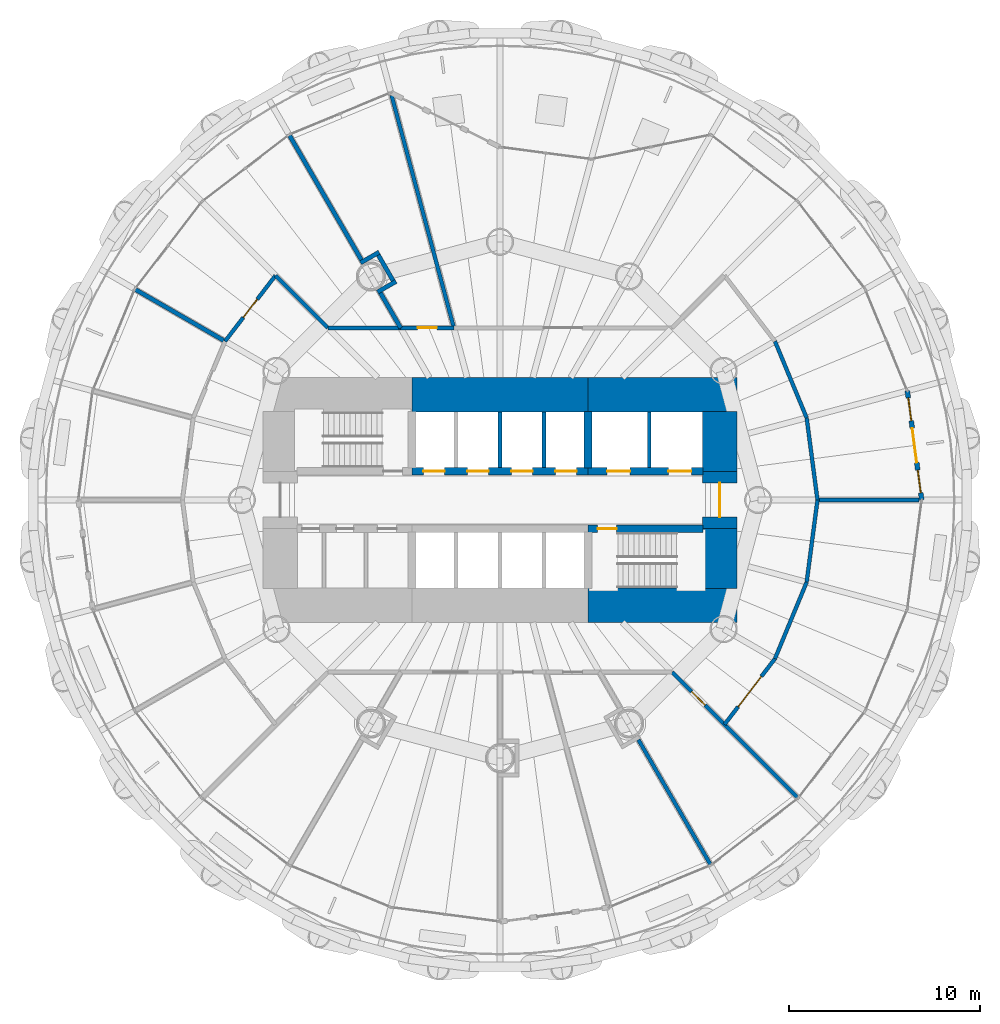
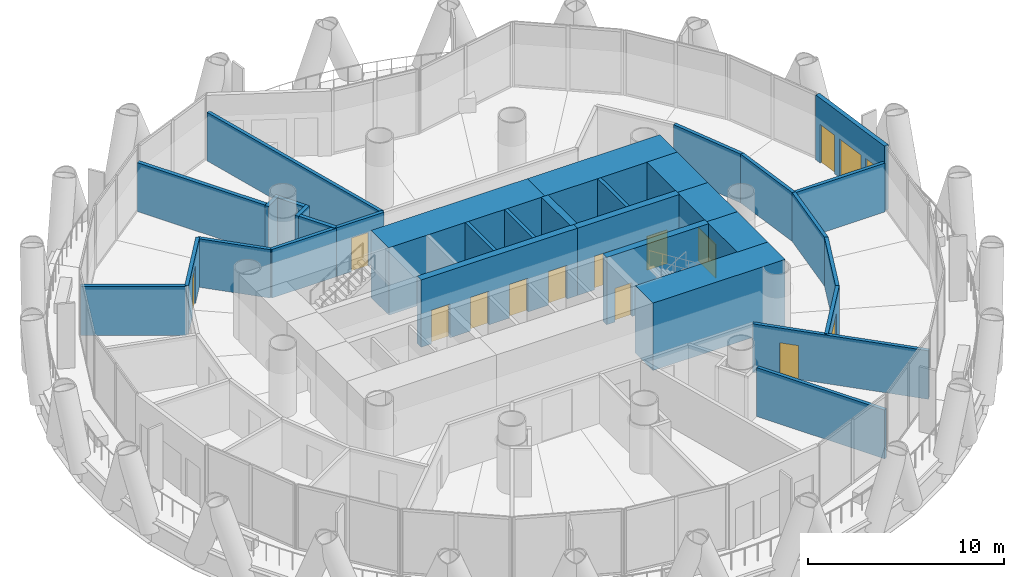
# One storey, part 11 of 16: 33 walls, 13 doors, 2 windows, 15 openings.
"""IFC4 building model written with IfcOpenShell, lengths in metres."""

import ifcopenshell
import ifcopenshell.guid

model = None  # the IFC model being written
_history = None  # IfcOwnerHistory: only IFC2X3 demands one
_inside = {}  # id of a spatial element -> (the spatial element, [elements in it])
_under = {}  # id of a project, library or spatial element -> (it, [spatial elements below it])
_declared = {}  # id of a project -> (the project, [libraries it declares])
_typed = {}  # id of a type object -> (the type object, [elements of that type])
_made_of = {}  # id of a material, layer set ... -> (it, [elements and type objects made of it])


def new_model(schema):
    """Start an empty IFC model of exactly this schema.

    Asked for "IFC4X3", IfcOpenShell would pick the latest addendum, in which some entities
    have other attributes; the version numbers below select the first issue.
    IFC2X3 requires an IfcOwnerHistory on every rooted entity: one is made here for all.
    """
    global model, _history
    if schema == "IFC4X3":
        model = ifcopenshell.file(schema_version=(4, 3, 0, 0))
    else:
        model = ifcopenshell.file(schema=schema)
    _inside.clear()
    _under.clear()
    _declared.clear()
    _typed.clear()
    _made_of.clear()
    _history = None
    if model.schema == "IFC2X3":
        org = make("IfcOrganization", Name="unknown")
        user = make(
            "IfcPersonAndOrganization",
            ThePerson=make("IfcPerson", FamilyName="unknown"),
            TheOrganization=org,
        )
        app = make(
            "IfcApplication",
            ApplicationDeveloper=org,
            Version="unknown",
            ApplicationFullName="unknown",
            ApplicationIdentifier="unknown",
        )
        _history = make(
            "IfcOwnerHistory",
            OwningUser=user,
            OwningApplication=app,
            ChangeAction="ADDED",
            CreationDate=0,
        )
    return model


def make(cls, **values):
    """One entity of the class cls with the attributes given. An attribute that is None is left unset."""
    return model.create_entity(
        cls, **{name: value for name, value in values.items() if value is not None}
    )


def rooted(cls, **values):
    """An entity with a GlobalId (a new one), such as an element, a storey or a relation."""
    return make(cls, GlobalId=ifcopenshell.guid.new(), OwnerHistory=_history, **values)


def si_unit(unit_type, name, prefix=None):
    """IfcSIUnit, for example si_unit("LENGTHUNIT", "METRE", prefix="MILLI")."""
    return make("IfcSIUnit", UnitType=unit_type, Prefix=prefix, Name=name)


def assignment(units):
    """IfcUnitAssignment: the units of a project."""
    return None if units is None else make("IfcUnitAssignment", Units=units)


def point(xyz):
    """IfcCartesianPoint."""
    return None if xyz is None else make("IfcCartesianPoint", Coordinates=xyz)


def direction(xyz):
    """IfcDirection."""
    return None if xyz is None else make("IfcDirection", DirectionRatios=xyz)


def frame(location, z_axis=None, x_axis=None):
    """IfcAxis2Placement3D, a coordinate frame: its origin and axes. An axis left out is left unset."""
    return make(
        "IfcAxis2Placement3D",
        Location=point(location),
        Axis=direction(z_axis),
        RefDirection=direction(x_axis),
    )


def frame_2d(location, x_axis=None):
    """IfcAxis2Placement2D, a coordinate frame in the plane: its origin and x axis."""
    return make(
        "IfcAxis2Placement2D", Location=point(location), RefDirection=direction(x_axis)
    )


def origin():
    """The frame at (0, 0, 0) with its axes left unset."""
    return frame((0.0, 0.0, 0.0))


def place(relative_to, where):
    """IfcLocalPlacement: puts the frame where relative to a parent placement (None: the world)."""
    return make(
        "IfcLocalPlacement", PlacementRelTo=relative_to, RelativePlacement=where
    )


def context(
    kind, dimensions, precision=None, world=None, true_north=None, identifier=None
):
    """IfcGeometricRepresentationContext, for example the 3D "Model" context."""
    return make(
        "IfcGeometricRepresentationContext",
        ContextIdentifier=identifier,
        ContextType=kind,
        CoordinateSpaceDimension=dimensions,
        Precision=precision,
        WorldCoordinateSystem=world,
        TrueNorth=true_north,
    )


def subcontext(parent, identifier, kind, view, scale=None):
    """IfcGeometricRepresentationSubContext, for example "Body" below "Model"."""
    return make(
        "IfcGeometricRepresentationSubContext",
        ContextIdentifier=identifier,
        ContextType=kind,
        ParentContext=parent,
        TargetScale=scale,
        TargetView=view,
    )


def project(units=None, contexts=None):
    """IfcProject with its units and contexts."""
    return rooted(
        "IfcProject",
        Name="project",
        RepresentationContexts=contexts,
        UnitsInContext=assignment(units),
    )


def spatial(cls, under=None, at=None, **own):
    """A site, building, storey or space (cls), placed at a placement, below another one or the project."""
    s = rooted(cls, ObjectPlacement=at, **own)
    if under is not None:
        _under.setdefault(under.id(), (under, []))[1].append(s)
    return s


def profile(cls, at=None, kind="AREA", **sizes):
    """A parametric profile (cls). Its sizes go by their IFC names, for example OverallWidth=200.0."""
    return make(cls, ProfileType=kind, Position=at, **sizes)


def rectangle(**sizes):
    """IfcRectangleProfileDef."""
    return profile("IfcRectangleProfileDef", **sizes)


def extrude(swept, where, along, depth):
    """IfcExtrudedAreaSolid: the profile swept, set in the frame where, extruded along a direction by depth."""
    return make(
        "IfcExtrudedAreaSolid",
        SweptArea=swept,
        Position=where,
        ExtrudedDirection=direction(along),
        Depth=depth,
    )


def shape(context_of_items, identifier, shape_type, items):
    """IfcShapeRepresentation: the items that make up one representation, for example the "Body"."""
    return make(
        "IfcShapeRepresentation",
        ContextOfItems=context_of_items,
        RepresentationIdentifier=identifier,
        RepresentationType=shape_type,
        Items=items,
    )


def material(Name=None, Category=None):
    """IfcMaterial."""
    return make("IfcMaterial", Name=Name, Category=Category)


def layer(
    of_material, thickness, ventilated=None, Name=None, Category=None, Priority=None
):
    """IfcMaterialLayer: one layer of a wall or slab, of a material (None: an air gap)."""
    return make(
        "IfcMaterialLayer",
        Material=of_material,
        LayerThickness=thickness,
        IsVentilated=ventilated,
        Name=Name,
        Category=Category,
        Priority=Priority,
    )


def layer_set(layers, Name=None):
    """IfcMaterialLayerSet."""
    return make("IfcMaterialLayerSet", MaterialLayers=layers, LayerSetName=Name)


def made_of(thing, what):
    """Note that an element or type object is made of a material, layer set ...; save() writes the relation."""
    if what is not None:
        _made_of.setdefault(what.id(), (what, []))[1].append(thing)
    return thing


def type_object(cls, material=None, **own):
    """A type object (cls), such as IfcWallType, which elements share."""
    return made_of(rooted(cls, **own), material)


def element(
    cls,
    number,
    at=None,
    inside=None,
    cuts=None,
    type_object=None,
    material=None,
    context=None,
    identifier="Body",
    shape_type=None,
    held_by="IfcProductDefinitionShape",
    body=None,
    shapes=None,
    **own,
):
    """One element of the class cls, such as IfcWall. Its Tag is "e" and its number.

    at: its placement. inside: the storey or other place that contains it. cuts: it is an
    opening in that element (IfcRelVoidsElement). A single representation is given by context,
    identifier, shape_type and body (its items); several are given by shapes. held_by: the class
    of the entity that holds the representations. save() writes the other relations.
    """
    e = rooted(cls, Tag="e%d" % number, ObjectPlacement=at, **own)
    if body is not None:
        shapes = [shape(context, identifier, shape_type, body)]
    if shapes is not None:
        e.Representation = make(held_by, Representations=shapes)
    if inside is not None:
        _inside.setdefault(inside.id(), (inside, []))[1].append(e)
    if cuts is not None:
        rooted(
            "IfcRelVoidsElement", RelatingBuildingElement=cuts, RelatedOpeningElement=e
        )
    if type_object is not None:
        _typed.setdefault(type_object.id(), (type_object, []))[1].append(e)
    return made_of(e, material)


def fill(opening, filler):
    """IfcRelFillsElement: the door or window that sits in an opening."""
    return rooted(
        "IfcRelFillsElement",
        RelatingOpeningElement=opening,
        RelatedBuildingElement=filler,
    )


def aggregate(whole, parts):
    """IfcRelAggregates: a whole, such as a stair, and the parts it consists of."""
    return rooted("IfcRelAggregates", RelatingObject=whole, RelatedObjects=parts)


def save(model, path):
    """Write the relations noted so far, then the file.

    IfcRelAggregates (storeys below a building ...), IfcRelContainedInSpatialStructure (elements
    in a storey), IfcRelDefinesByType, IfcRelAssociatesMaterial and IfcRelDeclares: one each for
    every whole, place, type object, material and project.
    """
    for whole, parts in _under.values():
        aggregate(whole, parts)
    for where, things in _inside.values():
        rooted(
            "IfcRelContainedInSpatialStructure",
            RelatedElements=things,
            RelatingStructure=where,
        )
    for kind, things in _typed.values():
        rooted("IfcRelDefinesByType", RelatedObjects=things, RelatingType=kind)
    for what, things in _made_of.values():
        rooted("IfcRelAssociatesMaterial", RelatedObjects=things, RelatingMaterial=what)
    for by, libraries in _declared.values():
        rooted("IfcRelDeclares", RelatingContext=by, RelatedDefinitions=libraries)
    model.write(path)


model = new_model("IFC4")

# Units and contexts
model_context = context("Model", 3, precision=1e-05, world=origin(), true_north=direction((0.0, 1.0)))
body_context = subcontext(model_context, "Body", "Model", "MODEL_VIEW")
ifc_project = project(units=[si_unit("LENGTHUNIT", "METRE"), si_unit("AREAUNIT", "SQUARE_METRE"), si_unit("VOLUMEUNIT", "CUBIC_METRE"), si_unit("PLANEANGLEUNIT", "RADIAN"), si_unit("MASSUNIT", "GRAM", prefix="KILO")], contexts=[model_context])

# Site, building, storey
site_placement = place(None, origin())
site = spatial("IfcSite", under=ifc_project, at=site_placement, CompositionType="ELEMENT")
building_placement = place(site_placement, origin())
building = spatial("IfcBuilding", under=site, at=building_placement, Name="Qaws Media Tower", CompositionType="ELEMENT")
storey_placement = place(building_placement, frame((0.0, 0.0, 47.0)))
storey = spatial("IfcBuildingStorey", under=building, at=storey_placement, Name="L09", CompositionType="ELEMENT", Elevation=47.0)

# Walls
ifc_material_1 = material(Name="Twin metal stud frames, two layers gypsum board each side, insulated, Rw 55", Category="gypsum")
ifc_layer_1 = layer(ifc_material_1, 0.22509765625)
ifc_layer_set_1 = layer_set([ifc_layer_1], Name="Acoustic twin-stud partition 225 Rw 55")
wall_type_1 = type_object("IfcWallType", Name="Acoustic twin-stud partition 225 Rw 55", PredefinedType="PARTITIONING", material=ifc_layer_set_1)
wall_1_placement = place(storey_placement, frame((53.59423828125, 60.8701171875, 0.0), z_axis=(0.0, 0.0, 1.0), x_axis=(0.866112899501, 0.499848422343, 0.0)))
element("IfcWall", 1, at=wall_1_placement, inside=storey, type_object=wall_type_1, Name="W063 IW6 partition return L09", PredefinedType="PARTITIONING", context=body_context, shape_type="SweptSolid", body=[
    extrude(rectangle(XDim=1.118408203125, YDim=0.22509765625, at=frame_2d((0.55908203125, 0.0))), origin(), (0.0, 0.0, 1.0), 3.02001953125),
])
wall_2_placement = place(storey_placement, frame((52.710693359375, 62.400146484375, 0.0), z_axis=(0.0, 0.0, 1.0), x_axis=(0.866018397847, 0.500012134443, 0.0)))
element("IfcWall", 2, at=wall_2_placement, inside=storey, type_object=wall_type_1, Name="W059 IW6 partition return L09", PredefinedType="PARTITIONING", context=body_context, shape_type="SweptSolid", body=[
    extrude(rectangle(XDim=1.11865234375, YDim=0.22509765625, at=frame_2d((0.559326171875, 0.0))), origin(), (0.0, 0.0, 1.0), 3.02001953125),
])
wall_3_placement = place(storey_placement, frame((54.4091796875, 61.470458984375, 0.0), z_axis=(0.0, 0.0, 1.0), x_axis=(-0.499987416453, 0.866032668777, 0.0)))
element("IfcWall", 3, at=wall_3_placement, inside=storey, type_object=wall_type_1, Name="W065 IW6 partition return L09", PredefinedType="PARTITIONING", context=body_context, shape_type="SweptSolid", body=[
    extrude(rectangle(XDim=1.5419921875, YDim=0.22509765625, at=frame_2d((0.77099609375, 0.0))), origin(), (0.0, 0.0, 1.0), 3.02001953125),
])
wall_4_placement = place(storey_placement, frame((54.81005859375, 58.9892578125, 0.0), z_axis=(0.0, 0.0, 1.0), x_axis=(-0.499971184285, 0.866042039906, 0.0)))
element("IfcWall", 4, at=wall_4_placement, inside=storey, type_object=wall_type_1, Name="W067 IW6 partition L09", PredefinedType="PARTITIONING", context=body_context, shape_type="SweptSolid", body=[
    extrude(rectangle(XDim=2.124267578125, YDim=0.22509765625, at=frame_2d((1.06201171875, 0.0))), origin(), (0.0, 0.0, 1.0), 3.0400390625),
])
wall_5_placement = place(storey_placement, frame((52.751953125, 62.553955078125, 0.0), z_axis=(0.0, 0.0, 1.0), x_axis=(-0.49998308612, 0.866035168797, 0.0)))
element("IfcWall", 5, at=wall_5_placement, inside=storey, type_object=wall_type_1, Name="W061 IW6 partition L09", PredefinedType="PARTITIONING", context=body_context, shape_type="SweptSolid", body=[
    extrude(rectangle(XDim=7.513916015625, YDim=0.22509765625, at=frame_2d((3.7568359375, 0.0))), origin(), (0.0, 0.0, 1.0), 3.0400390625),
])
wall_6_placement = place(storey_placement, frame((45.6240234375, 58.300048828125, 0.0), z_axis=(0.0, 0.0, 1.0), x_axis=(-0.866043556948, 0.499968556481, 0.0)))
element("IfcWall", 6, at=wall_6_placement, inside=storey, type_object=wall_type_1, Name="W057 IW6 partition L09", PredefinedType="PARTITIONING", context=body_context, shape_type="SweptSolid", body=[
    extrude(rectangle(XDim=5.409912109375, YDim=0.22509765625, at=frame_2d((2.705078125, 0.0))), origin(), (0.0, 0.0, 1.0), 3.0400390625),
])

# Wall, openings, door, windows
ifc_material_2 = material(Name="Precast concrete, exposed finish", Category="concrete")
ifc_layer_2 = layer(ifc_material_2, 0.25)
ifc_layer_set_2 = layer_set([ifc_layer_2], Name="Balcony door wall 250")
wall_type_2 = type_object("IfcWallType", Name="Balcony door wall 250", PredefinedType="SOLIDWALL", material=ifc_layer_set_2)
wall_7_placement = place(storey_placement, frame((82.050048828125, 50.0, 0.0), z_axis=(0.0, 0.0, 1.0), x_axis=(-0.130546671118, 0.991442165061, 0.0)))
wall_7 = element("IfcWall", 7, at=wall_7_placement, inside=storey, type_object=wall_type_2, Name="W128 EW1 balcony door wall L09-01", PredefinedType="SOLIDWALL", context=body_context, shape_type="SweptSolid", body=[
    extrude(rectangle(XDim=5.75634765625, YDim=0.25, at=frame_2d((2.878173828125, 0.0))), origin(), (0.0, 0.0, 1.0), 4.0400390625),
])
opening_1_placement = place(wall_7_placement, frame((1.97802734375, 0.0, 0.0)))
opening_1 = element("IfcOpeningElement", 8, at=opening_1_placement, cuts=wall_7, Name="Opening D7", PredefinedType="OPENING", context=body_context, shape_type="SweptSolid", body=[
    extrude(rectangle(XDim=1.800048828125, YDim=2.39990234375, at=frame_2d((0.89990234375, 1.199951171875))), frame((0.0, 0.135009765625, 0.0), z_axis=(0.0, -1.0, 0.0), x_axis=(1.0, 0.0, 0.0)), (0.0, 0.0, 1.0), 0.27001953125),
])
opening_2_placement = place(wall_7_placement, frame((0.378173828125, 0.0, 0.0)))
opening_2 = element("IfcOpeningElement", 9, at=opening_2_placement, cuts=wall_7, Name="Opening W1", PredefinedType="OPENING", context=body_context, shape_type="SweptSolid", body=[
    extrude(rectangle(XDim=1.199951171875, YDim=2.39990234375, at=frame_2d((0.60009765625, 1.199951171875))), frame((0.0, 0.135009765625, 0.0), z_axis=(0.0, -1.0, 0.0), x_axis=(1.0, 0.0, 0.0)), (0.0, 0.0, 1.0), 0.27001953125),
])
opening_3_placement = place(wall_7_placement, frame((4.17822265625, 0.0, 0.0)))
opening_3 = element("IfcOpeningElement", 10, at=opening_3_placement, cuts=wall_7, Name="Opening W1", PredefinedType="OPENING", context=body_context, shape_type="SweptSolid", body=[
    extrude(rectangle(XDim=1.199951171875, YDim=2.39990234375, at=frame_2d((0.60009765625, 1.199951171875))), frame((0.0, 0.135009765625, 0.0), z_axis=(0.0, -1.0, 0.0), x_axis=(1.0, 0.0, 0.0)), (0.0, 0.0, 1.0), 0.27001953125),
])
ifc_material_3 = material(Name="Aluminium and clear glass", Category="aluminium")
door_type_1 = type_object("IfcDoorType", Name="Balcony door pair 1800", OperationType="DOUBLE_DOOR_SLIDING", PredefinedType="DOOR", material=ifc_material_3)
door_1_placement = place(opening_1_placement, origin())
door_1 = element("IfcDoor", 11, at=door_1_placement, inside=storey, type_object=door_type_1, Name="D7 balcony door L09-01 in wall W128", OperationType="DOUBLE_DOOR_SLIDING", OverallHeight=2.39990234375, OverallWidth=1.800048828125, PredefinedType="DOOR", context=body_context, shape_type="SweptSolid", body=[
    extrude(rectangle(XDim=1.800048828125, YDim=2.39990234375, at=frame_2d((0.89990234375, 1.199951171875))), frame((0.0, 0.02490234375, 0.0), z_axis=(0.0, -1.0, 0.0), x_axis=(1.0, 0.0, 0.0)), (0.0, 0.0, 1.0), 0.050048828125),
])
fill(opening_1, door_1)
ifc_material_4 = material(Name="Aluminium and clear glass", Category="aluminium")
window_type = type_object("IfcWindowType", Name="Balcony side window 1200", PartitioningType="SINGLE_PANEL", PredefinedType="WINDOW", material=ifc_material_4)
window_1_placement = place(opening_2_placement, origin())
window_1 = element("IfcWindow", 12, at=window_1_placement, inside=storey, type_object=window_type, Name="W1 balcony side light L09-01L", OverallHeight=2.39990234375, OverallWidth=1.199951171875, PartitioningType="SINGLE_PANEL", PredefinedType="WINDOW", context=body_context, shape_type="SweptSolid", body=[
    extrude(rectangle(XDim=1.199951171875, YDim=2.39990234375, at=frame_2d((0.60009765625, 1.199951171875))), frame((0.0, 0.030029296875, 0.0), z_axis=(0.0, -1.0, 0.0), x_axis=(1.0, 0.0, 0.0)), (0.0, 0.0, 1.0), 0.06005859375),
])
fill(opening_2, window_1)
window_2_placement = place(opening_3_placement, origin())
window_2 = element("IfcWindow", 13, at=window_2_placement, inside=storey, type_object=window_type, Name="W1 balcony side light L09-01R", OverallHeight=2.39990234375, OverallWidth=1.199951171875, PartitioningType="SINGLE_PANEL", PredefinedType="WINDOW", context=body_context, shape_type="SweptSolid", body=[
    extrude(rectangle(XDim=1.199951171875, YDim=2.39990234375, at=frame_2d((0.60009765625, 1.199951171875))), frame((0.0, 0.030029296875, 0.0), z_axis=(0.0, -1.0, 0.0), x_axis=(1.0, 0.0, 0.0)), (0.0, 0.0, 1.0), 0.06005859375),
])
fill(opening_3, window_2)

# Wall, openings, doors
ifc_material_5 = material(Name="Concrete C60/75", Category="concrete")
ifc_layer_3 = layer(ifc_material_5, 0.39990234375)
ifc_layer_set_3 = layer_set([ifc_layer_3], Name="Core inner wall 400")
wall_type_3 = type_object("IfcWallType", Name="Core inner wall 400", PredefinedType="SHEAR", material=ifc_layer_set_3)
wall_8_placement = place(storey_placement, frame((55.39990234375, 51.5, 0.0), z_axis=(0.0, 0.0, 1.0), x_axis=(1.0, 0.0, 0.0)))
wall_8 = element("IfcWall", 14, at=wall_8_placement, inside=storey, type_object=wall_type_3, Name="W314 SW4 core wall SPN L09", PredefinedType="SHEAR", context=body_context, shape_type="SweptSolid", body=[
    extrude(rectangle(XDim=9.2001953125, YDim=0.39990234375, at=frame_2d((4.60009765625, 0.0))), origin(), (0.0, 0.0, 1.0), 4.199951171875),
])
opening_4_placement = place(wall_8_placement, frame((0.60009765625, 0.0, 0.0)))
opening_4 = element("IfcOpeningElement", 15, at=opening_4_placement, cuts=wall_8, Name="Opening LD", PredefinedType="OPENING", context=body_context, shape_type="SweptSolid", body=[
    extrude(rectangle(XDim=1.10009765625, YDim=2.10009765625, at=frame_2d((0.550048828125, 1.050048828125))), frame((0.0, 0.2099609375, 0.0), z_axis=(0.0, -1.0, 0.0), x_axis=(1.0, 0.0, 0.0)), (0.0, 0.0, 1.0), 0.419921875),
])
opening_5_placement = place(wall_8_placement, frame((2.89990234375, 0.0, 0.0)))
opening_5 = element("IfcOpeningElement", 16, at=opening_5_placement, cuts=wall_8, Name="Opening LD", PredefinedType="OPENING", context=body_context, shape_type="SweptSolid", body=[
    extrude(rectangle(XDim=1.10009765625, YDim=2.10009765625, at=frame_2d((0.550048828125, 1.050048828125))), frame((0.0, 0.2099609375, 0.0), z_axis=(0.0, -1.0, 0.0), x_axis=(1.0, 0.0, 0.0)), (0.0, 0.0, 1.0), 0.419921875),
])
opening_6_placement = place(wall_8_placement, frame((5.199951171875, 0.0, 0.0)))
opening_6 = element("IfcOpeningElement", 17, at=opening_6_placement, cuts=wall_8, Name="Opening LD", PredefinedType="OPENING", context=body_context, shape_type="SweptSolid", body=[
    extrude(rectangle(XDim=1.10009765625, YDim=2.10009765625, at=frame_2d((0.550048828125, 1.050048828125))), frame((0.0, 0.2099609375, 0.0), z_axis=(0.0, -1.0, 0.0), x_axis=(1.0, 0.0, 0.0)), (0.0, 0.0, 1.0), 0.419921875),
])
opening_7_placement = place(wall_8_placement, frame((7.5, 0.0, 0.0)))
opening_7 = element("IfcOpeningElement", 18, at=opening_7_placement, cuts=wall_8, Name="Opening LD", PredefinedType="OPENING", context=body_context, shape_type="SweptSolid", body=[
    extrude(rectangle(XDim=1.10009765625, YDim=2.10009765625, at=frame_2d((0.550048828125, 1.050048828125))), frame((0.0, 0.2099609375, 0.0), z_axis=(0.0, -1.0, 0.0), x_axis=(1.0, 0.0, 0.0)), (0.0, 0.0, 1.0), 0.419921875),
])
ifc_material_6 = material(Name="Steel, fire rated", Category="steel")
door_type_2 = type_object("IfcDoorType", Name="Lift landing door 1100", OperationType="SLIDING_TO_LEFT", PredefinedType="DOOR", material=ifc_material_6)
door_2_placement = place(opening_4_placement, origin())
door_2 = element("IfcDoor", 19, at=door_2_placement, inside=storey, type_object=door_type_2, Name="P1 landing door L09 in wall W314", OperationType="SLIDING_TO_LEFT", OverallHeight=2.10009765625, OverallWidth=1.10009765625, PredefinedType="DOOR", context=body_context, shape_type="SweptSolid", body=[
    extrude(rectangle(XDim=1.10009765625, YDim=2.10009765625, at=frame_2d((0.550048828125, 1.050048828125))), frame((0.0, 0.02490234375, 0.0), z_axis=(0.0, -1.0, 0.0), x_axis=(1.0, 0.0, 0.0)), (0.0, 0.0, 1.0), 0.050048828125),
])
fill(opening_4, door_2)
door_3_placement = place(opening_5_placement, origin())
door_3 = element("IfcDoor", 20, at=door_3_placement, inside=storey, type_object=door_type_2, Name="P2 landing door L09 in wall W314", OperationType="SLIDING_TO_LEFT", OverallHeight=2.10009765625, OverallWidth=1.10009765625, PredefinedType="DOOR", context=body_context, shape_type="SweptSolid", body=[
    extrude(rectangle(XDim=1.10009765625, YDim=2.10009765625, at=frame_2d((0.550048828125, 1.050048828125))), frame((0.0, 0.02490234375, 0.0), z_axis=(0.0, -1.0, 0.0), x_axis=(1.0, 0.0, 0.0)), (0.0, 0.0, 1.0), 0.050048828125),
])
fill(opening_5, door_3)
door_4_placement = place(opening_6_placement, origin())
door_4 = element("IfcDoor", 21, at=door_4_placement, inside=storey, type_object=door_type_2, Name="P3 landing door L09 in wall W314", OperationType="SLIDING_TO_LEFT", OverallHeight=2.10009765625, OverallWidth=1.10009765625, PredefinedType="DOOR", context=body_context, shape_type="SweptSolid", body=[
    extrude(rectangle(XDim=1.10009765625, YDim=2.10009765625, at=frame_2d((0.550048828125, 1.050048828125))), frame((0.0, 0.02490234375, 0.0), z_axis=(0.0, -1.0, 0.0), x_axis=(1.0, 0.0, 0.0)), (0.0, 0.0, 1.0), 0.050048828125),
])
fill(opening_6, door_4)
door_5_placement = place(opening_7_placement, origin())
door_5 = element("IfcDoor", 22, at=door_5_placement, inside=storey, type_object=door_type_2, Name="P4 landing door L09 in wall W314", OperationType="SLIDING_TO_LEFT", OverallHeight=2.10009765625, OverallWidth=1.10009765625, PredefinedType="DOOR", context=body_context, shape_type="SweptSolid", body=[
    extrude(rectangle(XDim=1.10009765625, YDim=2.10009765625, at=frame_2d((0.550048828125, 1.050048828125))), frame((0.0, 0.02490234375, 0.0), z_axis=(0.0, -1.0, 0.0), x_axis=(1.0, 0.0, 0.0)), (0.0, 0.0, 1.0), 0.050048828125),
])
fill(opening_7, door_5)

wall_9_placement = place(storey_placement, frame((64.60009765625, 51.5, 0.0), z_axis=(0.0, 0.0, 1.0), x_axis=(1.0, 0.0, 0.0)))
wall_9 = element("IfcWall", 23, at=wall_9_placement, inside=storey, type_object=wall_type_3, Name="W318 SW4 core wall SPNE L09", PredefinedType="SHEAR", context=body_context, shape_type="SweptSolid", body=[
    extrude(rectangle(XDim=6.02001953125, YDim=0.39990234375, at=frame_2d((3.010009765625, 0.0))), origin(), (0.0, 0.0, 1.0), 4.199951171875),
])
opening_8_placement = place(wall_9_placement, frame((1.0, 0.0, 0.0)))
opening_8 = element("IfcOpeningElement", 24, at=opening_8_placement, cuts=wall_9, Name="Opening LD2", PredefinedType="OPENING", context=body_context, shape_type="SweptSolid", body=[
    extrude(rectangle(XDim=1.199951171875, YDim=2.10009765625, at=frame_2d((0.60009765625, 1.050048828125))), frame((0.0, 0.2099609375, 0.0), z_axis=(0.0, -1.0, 0.0), x_axis=(1.0, 0.0, 0.0)), (0.0, 0.0, 1.0), 0.419921875),
])
opening_9_placement = place(wall_9_placement, frame((4.199951171875, 0.0, 0.0)))
opening_9 = element("IfcOpeningElement", 25, at=opening_9_placement, cuts=wall_9, Name="Opening LD2", PredefinedType="OPENING", context=body_context, shape_type="SweptSolid", body=[
    extrude(rectangle(XDim=1.199951171875, YDim=2.10009765625, at=frame_2d((0.60009765625, 1.050048828125))), frame((0.0, 0.2099609375, 0.0), z_axis=(0.0, -1.0, 0.0), x_axis=(1.0, 0.0, 0.0)), (0.0, 0.0, 1.0), 0.419921875),
])
ifc_material_7 = material(Name="Steel, fire rated", Category="steel")
door_type_3 = type_object("IfcDoorType", Name="Lift landing door 1200", OperationType="SLIDING_TO_LEFT", PredefinedType="DOOR", material=ifc_material_7)
door_6_placement = place(opening_8_placement, origin())
door_6 = element("IfcDoor", 26, at=door_6_placement, inside=storey, type_object=door_type_3, Name="FL1 landing door L09 in wall W318", OperationType="SLIDING_TO_LEFT", OverallHeight=2.10009765625, OverallWidth=1.199951171875, PredefinedType="DOOR", context=body_context, shape_type="SweptSolid", body=[
    extrude(rectangle(XDim=1.199951171875, YDim=2.10009765625, at=frame_2d((0.60009765625, 1.050048828125))), frame((0.0, 0.02490234375, 0.0), z_axis=(0.0, -1.0, 0.0), x_axis=(1.0, 0.0, 0.0)), (0.0, 0.0, 1.0), 0.050048828125),
])
fill(opening_8, door_6)
door_7_placement = place(opening_9_placement, origin())
door_7 = element("IfcDoor", 27, at=door_7_placement, inside=storey, type_object=door_type_3, Name="FL2 landing door L09 in wall W318", OperationType="SLIDING_TO_LEFT", OverallHeight=2.10009765625, OverallWidth=1.199951171875, PredefinedType="DOOR", context=body_context, shape_type="SweptSolid", body=[
    extrude(rectangle(XDim=1.199951171875, YDim=2.10009765625, at=frame_2d((0.60009765625, 1.050048828125))), frame((0.0, 0.02490234375, 0.0), z_axis=(0.0, -1.0, 0.0), x_axis=(1.0, 0.0, 0.0)), (0.0, 0.0, 1.0), 0.050048828125),
])
fill(opening_9, door_7)

# Wall, opening, door
wall_10_placement = place(storey_placement, frame((64.60009765625, 48.5, 0.0), z_axis=(0.0, 0.0, 1.0), x_axis=(1.0, 0.0, 0.0)))
wall_10 = element("IfcWall", 28, at=wall_10_placement, inside=storey, type_object=wall_type_3, Name="W317 SW4 core wall SPSE L09", PredefinedType="SHEAR", context=body_context, shape_type="SweptSolid", body=[
    extrude(rectangle(XDim=6.02001953125, YDim=0.39990234375, at=frame_2d((3.010009765625, 0.0))), origin(), (0.0, 0.0, 1.0), 4.199951171875),
])
opening_10_placement = place(wall_10_placement, frame((0.5, 0.0, 0.0)))
opening_10 = element("IfcOpeningElement", 29, at=opening_10_placement, cuts=wall_10, Name="Opening D1", PredefinedType="OPENING", context=body_context, shape_type="SweptSolid", body=[
    extrude(rectangle(XDim=1.0, YDim=2.10009765625, at=frame_2d((0.5, 1.050048828125))), frame((0.0, 0.2099609375, 0.0), z_axis=(0.0, -1.0, 0.0), x_axis=(1.0, 0.0, 0.0)), (0.0, 0.0, 1.0), 0.419921875),
])
ifc_material_8 = material(Name="Steel, fire rated", Category="steel")
door_type_4 = type_object("IfcDoorType", Name="Stair door 1000 FD120", OperationType="SINGLE_SWING_LEFT", PredefinedType="DOOR", material=ifc_material_8)
door_8_placement = place(opening_10_placement, origin())
door_8 = element("IfcDoor", 30, at=door_8_placement, inside=storey, type_object=door_type_4, Name="D1 stair S2 door L09 in wall W317", OperationType="SINGLE_SWING_LEFT", OverallHeight=2.10009765625, OverallWidth=1.0, PredefinedType="DOOR", context=body_context, shape_type="SweptSolid", body=[
    extrude(rectangle(XDim=1.0, YDim=2.10009765625, at=frame_2d((0.5, 1.050048828125))), frame((0.0, 0.02490234375, 0.0), z_axis=(0.0, -1.0, 0.0), x_axis=(1.0, 0.0, 0.0)), (0.0, 0.0, 1.0), 0.050048828125),
])
fill(opening_10, door_8)

# Walls
wall_11_placement = place(storey_placement, frame((64.60009765625, 51.679931640625, 0.0), z_axis=(0.0, 0.0, 1.0), x_axis=(0.0, 1.0, 0.0)))
element("IfcWall", 31, at=wall_11_placement, inside=storey, type_object=wall_type_3, Name="W319 SW4 core wall XNE L09", PredefinedType="SHEAR", context=body_context, shape_type="SweptSolid", body=[
    extrude(rectangle(XDim=2.940185546875, YDim=0.39990234375, at=frame_2d((1.47021484375, 0.0))), origin(), (0.0, 0.0, 1.0), 4.199951171875),
])
ifc_material_9 = material(Name="Concrete C60/75", Category="concrete")
ifc_layer_4 = layer(ifc_material_9, 1.800048828125)
ifc_layer_set_4 = layer_set([ifc_layer_4], Name="Core wall 1800")
wall_type_4 = type_object("IfcWallType", Name="Core wall 1800", PredefinedType="SHEAR", material=ifc_layer_set_4)
wall_12_placement = place(storey_placement, frame((55.39990234375, 55.5, 0.0), z_axis=(0.0, 0.0, 1.0), x_axis=(1.0, 0.0, 0.0)))
element("IfcWall", 32, at=wall_12_placement, inside=storey, type_object=wall_type_4, Name="W404 SW11 core wall N L09", PredefinedType="SHEAR", context=body_context, shape_type="SweptSolid", body=[
    extrude(rectangle(XDim=9.2001953125, YDim=1.800048828125, at=frame_2d((4.60009765625, 0.0))), origin(), (0.0, 0.0, 1.0), 4.199951171875),
])
for number, where, z_axis, x_axis, name in (
    (33, (64.60009765625, 55.5, 0.0), (0.0, 0.0, 1.0), (1.0, 0.0, 0.0), "W406 SW11 core wall NE L09"),
    (34, (64.60009765625, 44.5, 0.0), (0.0, 0.0, 1.0), (1.0, 0.0, 0.0), "W405 SW11 core wall SE L09"),
):
    element("IfcWall", number, at=place(storey_placement, frame(where, z_axis=z_axis, x_axis=x_axis)), inside=storey, type_object=wall_type_4, Name=name, PredefinedType="SHEAR", context=body_context, shape_type="SweptSolid", body=[
        extrude(rectangle(XDim=7.7998046875, YDim=1.800048828125, at=frame_2d((3.89990234375, 0.0))), origin(), (0.0, 0.0, 1.0), 4.199951171875),
    ])
wall_13_placement = place(storey_placement, frame((71.5, 45.3798828125, 0.0), z_axis=(0.0, 0.0, 1.0), x_axis=(0.0, 1.0, 0.0)))
element("IfcWall", 35, at=wall_13_placement, inside=storey, type_object=wall_type_4, Name="W407 SW11 core wall ES L09", PredefinedType="SHEAR", context=body_context, shape_type="SweptSolid", body=[
    extrude(rectangle(XDim=3.1201171875, YDim=1.800048828125, at=frame_2d((1.56005859375, 0.0))), origin(), (0.0, 0.0, 1.0), 4.199951171875),
])

# Wall, opening, door
wall_14_placement = place(storey_placement, frame((71.5, 48.5, 0.0), z_axis=(0.0, 0.0, 1.0), x_axis=(0.0, 1.0, 0.0)))
wall_14 = element("IfcWall", 36, at=wall_14_placement, inside=storey, type_object=wall_type_4, Name="W408 SW11 core wall E L09", PredefinedType="SHEAR", context=body_context, shape_type="SweptSolid", body=[
    extrude(rectangle(XDim=3.0, YDim=1.800048828125, at=frame_2d((1.5, 0.0))), origin(), (0.0, 0.0, 1.0), 4.199951171875),
])
opening_11_placement = place(wall_14_placement, frame((0.60009765625, 0.0, 0.0)))
opening_11 = element("IfcOpeningElement", 37, at=opening_11_placement, cuts=wall_14, Name="Opening D2", PredefinedType="OPENING", context=body_context, shape_type="SweptSolid", body=[
    extrude(rectangle(XDim=1.800048828125, YDim=2.10009765625, at=frame_2d((0.89990234375, 1.050048828125))), frame((0.0, 0.909912109375, 0.0), z_axis=(0.0, -1.0, 0.0), x_axis=(1.0, 0.0, 0.0)), (0.0, 0.0, 1.0), 1.820068359375),
])
ifc_material_10 = material(Name="Steel and glass, fire rated", Category="steel")
door_type_5 = type_object("IfcDoorType", Name="Lobby door pair 1800 FD60", OperationType="DOUBLE_DOOR_DOUBLE_SWING", PredefinedType="DOOR", material=ifc_material_10)
door_9_placement = place(opening_11_placement, origin())
door_9 = element("IfcDoor", 38, at=door_9_placement, inside=storey, type_object=door_type_5, Name="D2 core lobby door E L09 in wall W408", OperationType="DOUBLE_DOOR_DOUBLE_SWING", OverallHeight=2.10009765625, OverallWidth=1.800048828125, PredefinedType="DOOR", context=body_context, shape_type="SweptSolid", body=[
    extrude(rectangle(XDim=1.800048828125, YDim=2.10009765625, at=frame_2d((0.89990234375, 1.050048828125))), frame((0.0, 0.02490234375, 0.0), z_axis=(0.0, -1.0, 0.0), x_axis=(1.0, 0.0, 0.0)), (0.0, 0.0, 1.0), 0.050048828125),
])
fill(opening_11, door_9)

# Wall
wall_15_placement = place(storey_placement, frame((71.5, 51.5, 0.0), z_axis=(0.0, 0.0, 1.0), x_axis=(0.0, 1.0, 0.0)))
element("IfcWall", 39, at=wall_15_placement, inside=storey, type_object=wall_type_4, Name="W409 SW11 core wall EN L09", PredefinedType="SHEAR", context=body_context, shape_type="SweptSolid", body=[
    extrude(rectangle(XDim=3.1201171875, YDim=1.800048828125, at=frame_2d((1.56005859375, 0.0))), origin(), (0.0, 0.0, 1.0), 4.199951171875),
])

# Wall, opening, door
ifc_material_11 = material(Name="Gypsum board on galvanised metal studs, acoustic double stud, deflection head", Category="gypsum")
ifc_layer_5 = layer(ifc_material_11, 0.199951171875)
ifc_layer_set_5 = layer_set([ifc_layer_5], Name="Room partition 200")
wall_type_5 = type_object("IfcWallType", Name="Room partition 200", PredefinedType="PARTITIONING", material=ifc_layer_set_5)
wall_16_placement = place(storey_placement, frame((45.6240234375, 58.300048828125, 0.0), z_axis=(0.0, 0.0, 1.0), x_axis=(0.60874374674, 0.79336690806, 0.0)))
wall_16 = element("IfcWall", 40, at=wall_16_placement, inside=storey, type_object=wall_type_5, Name="W992 IW3 partition L09", PredefinedType="PARTITIONING", context=body_context, shape_type="SweptSolid", body=[
    extrude(rectangle(XDim=4.33349609375, YDim=0.199951171875, at=frame_2d((2.166748046875, 0.0))), origin(), (0.0, 0.0, 1.0), 3.0400390625),
])
opening_12_placement = place(wall_16_placement, frame((1.566650390625, 0.0, 0.0)))
opening_12 = element("IfcOpeningElement", 41, at=opening_12_placement, cuts=wall_16, Name="Opening D14", PredefinedType="OPENING", context=body_context, shape_type="SweptSolid", body=[
    extrude(rectangle(XDim=1.199951171875, YDim=2.39990234375, at=frame_2d((0.60009765625, 1.199951171875))), frame((0.0, 0.10986328125, 0.0), z_axis=(0.0, -1.0, 0.0), x_axis=(1.0, 0.0, 0.0)), (0.0, 0.0, 1.0), 0.219970703125),
])
ifc_material_12 = material(Name="Steel acoustic door set, Rw 45", Category="steel")
door_type_6 = type_object("IfcDoorType", Name="Acoustic door 1200x2400 Rw 45", OperationType="SINGLE_SWING_LEFT", PredefinedType="DOOR", material=ifc_material_12)
door_10_placement = place(opening_12_placement, origin())
door_10 = element("IfcDoor", 42, at=door_10_placement, inside=storey, type_object=door_type_6, Name="D14 Colour grading room door L09 in wall W992", OperationType="SINGLE_SWING_LEFT", OverallHeight=2.39990234375, OverallWidth=1.199951171875, PredefinedType="DOOR", context=body_context, shape_type="SweptSolid", body=[
    extrude(rectangle(XDim=1.199951171875, YDim=2.39990234375, at=frame_2d((0.60009765625, 1.199951171875))), frame((0.0, 0.02490234375, 0.0), z_axis=(0.0, -1.0, 0.0), x_axis=(1.0, 0.0, 0.0)), (0.0, 0.0, 1.0), 0.050048828125),
])
fill(opening_12, door_10)

# Walls
wall_17_placement = place(storey_placement, frame((48.261962890625, 61.738037109375, 0.0), z_axis=(0.0, 0.0, 1.0), x_axis=(0.707106781187, -0.707106781187, 0.0)))
element("IfcWall", 43, at=wall_17_placement, inside=storey, type_object=wall_type_5, Name="W994 IW3 partition L09", PredefinedType="PARTITIONING", context=body_context, shape_type="SweptSolid", body=[
    extrude(rectangle(XDim=3.8720703125, YDim=0.199951171875, at=frame_2d((1.93603515625, 0.0))), origin(), (0.0, 0.0, 1.0), 3.02001953125),
])
wall_18_placement = place(storey_placement, frame((51.0, 59.0, 0.0), z_axis=(0.0, 0.0, 1.0), x_axis=(1.0, 0.0, 0.0)))
element("IfcWall", 44, at=wall_18_placement, inside=storey, type_object=wall_type_5, Name="W996 IW3 partition L09", PredefinedType="PARTITIONING", context=body_context, shape_type="SweptSolid", body=[
    extrude(rectangle(XDim=3.8037109375, YDim=0.199951171875, at=frame_2d((1.90185546875, 0.0))), origin(), (0.0, 0.0, 1.0), 3.02001953125),
])

# Wall, opening, door
wall_19_placement = place(storey_placement, frame((54.8037109375, 59.0, 0.0), z_axis=(0.0, 0.0, 1.0), x_axis=(1.0, 0.0, 0.0)))
wall_19 = element("IfcWall", 45, at=wall_19_placement, inside=storey, type_object=wall_type_5, Name="W998 IW3 partition L09", PredefinedType="PARTITIONING", context=body_context, shape_type="SweptSolid", body=[
    extrude(rectangle(XDim=2.78466796875, YDim=0.199951171875, at=frame_2d((1.392333984375, 0.0))), origin(), (0.0, 0.0, 1.0), 3.0400390625),
])
opening_13_placement = place(wall_19_placement, frame((0.892333984375, 0.0, 0.0)))
opening_13 = element("IfcOpeningElement", 46, at=opening_13_placement, cuts=wall_19, Name="Opening D5", PredefinedType="OPENING", context=body_context, shape_type="SweptSolid", body=[
    extrude(rectangle(XDim=1.0, YDim=2.10009765625, at=frame_2d((0.5, 1.050048828125))), frame((0.0, 0.10986328125, 0.0), z_axis=(0.0, -1.0, 0.0), x_axis=(1.0, 0.0, 0.0)), (0.0, 0.0, 1.0), 0.219970703125),
])
ifc_material_13 = material(Name="Timber veneered, acoustic seal", Category="wood")
door_type_7 = type_object("IfcDoorType", Name="Room door 1000", OperationType="SINGLE_SWING_LEFT", PredefinedType="DOOR", material=ifc_material_13)
door_11_placement = place(opening_13_placement, origin())
door_11 = element("IfcDoor", 47, at=door_11_placement, inside=storey, type_object=door_type_7, Name="D5 Media asset room door L09 in wall W998", OperationType="SINGLE_SWING_LEFT", OverallHeight=2.10009765625, OverallWidth=1.0, PredefinedType="DOOR", context=body_context, shape_type="SweptSolid", body=[
    extrude(rectangle(XDim=1.0, YDim=2.10009765625, at=frame_2d((0.5, 1.050048828125))), frame((0.0, 0.02490234375, 0.0), z_axis=(0.0, -1.0, 0.0), x_axis=(1.0, 0.0, 0.0)), (0.0, 0.0, 1.0), 0.050048828125),
])
fill(opening_13, door_11)

# Walls
for number, where, z_axis, x_axis, name in (
    (48, (74.3759765625, 58.300048828125, 0.0), (0.0, 0.0, 1.0), (0.382698425325, -0.923873322082, 0.0), "W1014 IW3 partition L09"),
    (49, (76.034423828125, 54.29638671875, 0.0), (0.0, 0.0, 1.0), (0.130536124221, -0.99144355375, 0.0), "W1016 IW3 partition L09"),
    (50, (76.60009765625, 50.0, 0.0), (0.0, 0.0, 1.0), (-0.130536124221, -0.99144355375, 0.0), "W1017 IW3 partition L09"),
    (51, (76.034423828125, 45.70361328125, 0.0), (0.0, 0.0, 1.0), (-0.382698425325, -0.923873322082, 0.0), "W1015 IW3 partition L09"),
):
    element("IfcWall", number, at=place(storey_placement, frame(where, z_axis=z_axis, x_axis=x_axis)), inside=storey, type_object=wall_type_5, Name=name, PredefinedType="PARTITIONING", context=body_context, shape_type="SweptSolid", body=[
        extrude(rectangle(XDim=4.33349609375, YDim=0.199951171875, at=frame_2d((2.166748046875, 0.0))), origin(), (0.0, 0.0, 1.0), 3.0400390625),
    ])

# Wall, opening, door
wall_20_placement = place(storey_placement, frame((74.3759765625, 41.699951171875, 0.0), z_axis=(0.0, 0.0, 1.0), x_axis=(-0.60874374674, -0.79336690806, 0.0)))
wall_20 = element("IfcWall", 52, at=wall_20_placement, inside=storey, type_object=wall_type_5, Name="W1013 IW3 partition L09", PredefinedType="PARTITIONING", context=body_context, shape_type="SweptSolid", body=[
    extrude(rectangle(XDim=4.33349609375, YDim=0.199951171875, at=frame_2d((2.166748046875, 0.0))), origin(), (0.0, 0.0, 1.0), 3.0400390625),
])
opening_14_placement = place(wall_20_placement, frame((1.166748046875, 0.0, 0.0)))
opening_14 = element("IfcOpeningElement", 53, at=opening_14_placement, cuts=wall_20, Name="Opening D6", PredefinedType="OPENING", context=body_context, shape_type="SweptSolid", body=[
    extrude(rectangle(XDim=2.0, YDim=2.10009765625, at=frame_2d((1.0, 1.050048828125))), frame((0.0, 0.10986328125, 0.0), z_axis=(0.0, -1.0, 0.0), x_axis=(1.0, 0.0, 0.0)), (0.0, 0.0, 1.0), 0.219970703125),
])
ifc_material_14 = material(Name="Steel, acoustic, fire rated", Category="steel")
door_type_8 = type_object("IfcDoorType", Name="Room door pair 2000", OperationType="DOUBLE_DOOR_DOUBLE_SWING", PredefinedType="DOOR", material=ifc_material_14)
door_12_placement = place(opening_14_placement, origin())
door_12 = element("IfcDoor", 54, at=door_12_placement, inside=storey, type_object=door_type_8, Name="D6 Production office door L09 in wall W1013", OperationType="DOUBLE_DOOR_DOUBLE_SWING", OverallHeight=2.10009765625, OverallWidth=2.0, PredefinedType="DOOR", context=body_context, shape_type="SweptSolid", body=[
    extrude(rectangle(XDim=2.0, YDim=2.10009765625, at=frame_2d((1.0, 1.050048828125))), frame((0.0, 0.02490234375, 0.0), z_axis=(0.0, -1.0, 0.0), x_axis=(1.0, 0.0, 0.0)), (0.0, 0.0, 1.0), 0.050048828125),
])
fill(opening_14, door_12)

# Walls
wall_21_placement = place(storey_placement, frame((76.60009765625, 50.0, 0.0), z_axis=(0.0, 0.0, 1.0), x_axis=(1.0, 0.0, 0.0)))
element("IfcWall", 55, at=wall_21_placement, inside=storey, type_object=wall_type_5, Name="W1031 IW3 partition L09", PredefinedType="PARTITIONING", context=body_context, shape_type="SweptSolid", body=[
    extrude(rectangle(XDim=5.309814453125, YDim=0.199951171875, at=frame_2d((2.65478515625, 0.0))), origin(), (0.0, 0.0, 1.0), 3.0400390625),
])
wall_22_placement = place(storey_placement, frame((57.587890625, 59.00244140625, 0.0), z_axis=(0.0, 0.0, 1.0), x_axis=(-0.258822352026, 0.965924940195, 0.0)))
element("IfcWall", 56, at=wall_22_placement, inside=storey, type_object=wall_type_5, Name="W1024 IW3 partition L09", PredefinedType="PARTITIONING", context=body_context, shape_type="SweptSolid", body=[
    extrude(rectangle(XDim=12.58984375, YDim=0.199951171875, at=frame_2d((6.294921875, 0.0))), origin(), (0.0, 0.0, 1.0), 3.02001953125),
])
wall_23_placement = place(storey_placement, frame((67.235595703125, 37.4677734375, 0.0), z_axis=(0.0, 0.0, 1.0), x_axis=(0.499973811406, -0.866040523248, 0.0)))
element("IfcWall", 57, at=wall_23_placement, inside=storey, type_object=wall_type_5, Name="W1028 IW3 partition L09", PredefinedType="PARTITIONING", context=body_context, shape_type="SweptSolid", body=[
    extrude(rectangle(XDim=7.5390625, YDim=0.199951171875, at=frame_2d((3.76953125, 0.0))), origin(), (0.0, 0.0, 1.0), 3.0400390625),
])

# Wall, opening, door
wall_24_placement = place(storey_placement, frame((69.0, 41.0, 0.0), z_axis=(0.0, 0.0, 1.0), x_axis=(0.707106781187, -0.707106781187, 0.0)))
wall_24 = element("IfcWall", 58, at=wall_24_placement, inside=storey, type_object=wall_type_5, Name="W1030 IW3 partition L09", PredefinedType="PARTITIONING", context=body_context, shape_type="SweptSolid", body=[
    extrude(rectangle(XDim=9.2822265625, YDim=0.199951171875, at=frame_2d((4.64111328125, 0.0))), origin(), (0.0, 0.0, 1.0), 3.02001953125),
])
opening_15_placement = place(wall_24_placement, frame((1.43603515625, 0.0, 0.0)))
opening_15 = element("IfcOpeningElement", 59, at=opening_15_placement, cuts=wall_24, Name="Opening D5", PredefinedType="OPENING", context=body_context, shape_type="SweptSolid", body=[
    extrude(rectangle(XDim=1.0, YDim=2.10009765625, at=frame_2d((0.5, 1.050048828125))), frame((0.0, 0.10986328125, 0.0), z_axis=(0.0, -1.0, 0.0), x_axis=(1.0, 0.0, 0.0)), (0.0, 0.0, 1.0), 0.219970703125),
])
door_13_placement = place(opening_15_placement, origin())
door_13 = element("IfcDoor", 60, at=door_13_placement, inside=storey, type_object=door_type_7, Name="D5 Ladies toilets door L09 in wall W1030", OperationType="SINGLE_SWING_LEFT", OverallHeight=2.10009765625, OverallWidth=1.0, PredefinedType="DOOR", context=body_context, shape_type="SweptSolid", body=[
    extrude(rectangle(XDim=1.0, YDim=2.10009765625, at=frame_2d((0.5, 1.050048828125))), frame((0.0, 0.02490234375, 0.0), z_axis=(0.0, -1.0, 0.0), x_axis=(1.0, 0.0, 0.0)), (0.0, 0.0, 1.0), 0.050048828125),
])
fill(opening_15, door_13)

# Walls
ifc_material_15 = material(Name="Fire-rated gypsum board shaft wall on galvanised metal studs, deflection head", Category="gypsum")
ifc_layer_6 = layer(ifc_material_15, 0.199951171875)
ifc_layer_set_6 = layer_set([ifc_layer_6], Name="Shaft wall 200")
wall_type_6 = type_object("IfcWallType", Name="Shaft wall 200", PredefinedType="PARTITIONING", material=ifc_layer_set_6)
for number, where, z_axis, x_axis, name in (
    (61, (60.0, 51.699951171875, 0.0), (0.0, 0.0, 1.0), (0.0, 1.0, 0.0), "W1843 IW1 shaft wall N2 L09"),
    (62, (62.300048828125, 51.699951171875, 0.0), (0.0, 0.0, 1.0), (0.0, 1.0, 0.0), "W1844 IW1 shaft wall N3 L09"),
    (63, (67.800048828125, 51.699951171875, 0.0), (0.0, 0.0, 1.0), (0.0, 1.0, 0.0), "W1845 IW1 shaft wall FL L09"),
):
    element("IfcWall", number, at=place(storey_placement, frame(where, z_axis=z_axis, x_axis=x_axis)), inside=storey, type_object=wall_type_6, Name=name, PredefinedType="PARTITIONING", context=body_context, shape_type="SweptSolid", body=[
        extrude(rectangle(XDim=2.900146484375, YDim=0.199951171875, at=frame_2d((1.4501953125, 0.0))), origin(), (0.0, 0.0, 1.0), 4.199951171875),
    ])

save(model, "model.ifc")
